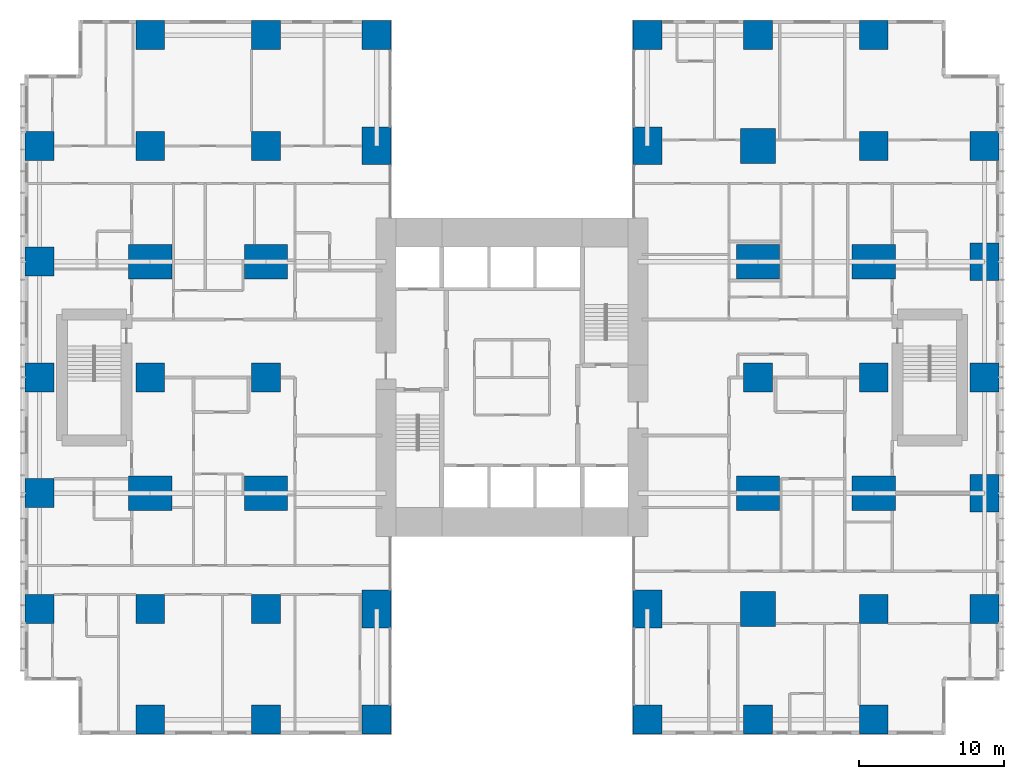
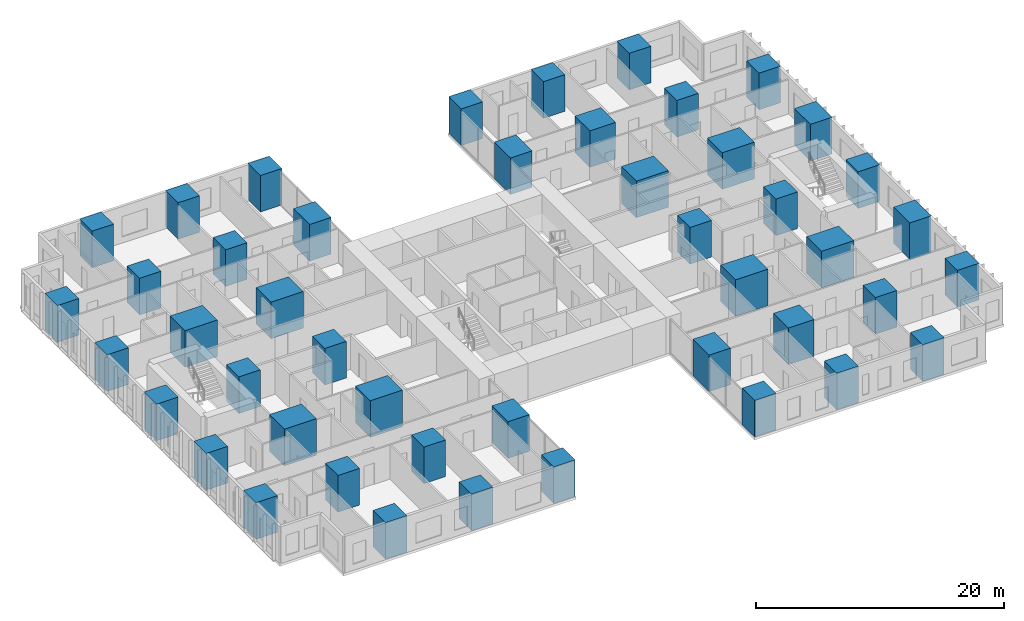
# One storey, part 1 of 20: 46 columns.
"""IFC4 building model written with IfcOpenShell, lengths in metres."""

from ifc_helpers import new_model, si_unit, direction, frame, origin, origin_2d, place, context, subcontext, project, spatial, rectangle, extrude, material, material_profile, profile_set, type_object, element, save


model = new_model("IFC4")

# Units and contexts
model_context = context("Model", 3, precision=1e-05, world=origin(), true_north=direction((0.0, 1.0)))
body_context = subcontext(model_context, "Body", "Model", "MODEL_VIEW")
ifc_project = project(units=[si_unit("LENGTHUNIT", "METRE"), si_unit("AREAUNIT", "SQUARE_METRE"), si_unit("VOLUMEUNIT", "CUBIC_METRE"), si_unit("PLANEANGLEUNIT", "RADIAN"), si_unit("MASSUNIT", "GRAM", prefix="KILO")], contexts=[model_context])

# Site, building, storey
site_placement = place(None, origin())
site = spatial("IfcSite", under=ifc_project, at=site_placement, CompositionType="ELEMENT")
building_placement = place(site_placement, origin())
building = spatial("IfcBuilding", under=site, at=building_placement, Name="Cleftline Residences", CompositionType="ELEMENT")
storey_placement = place(building_placement, frame((0.0, 0.0, 76.39990234375)))
storey = spatial("IfcBuildingStorey", under=building, at=storey_placement, Name="L19", CompositionType="ELEMENT", Elevation=76.39990234375)

# Columns
ifc_material_1 = material(Name="Concrete B70", Category="concrete")
ifc_material_profile_1 = material_profile(ifc_material_1, rectangle(XDim=2.0, YDim=2.0, at=origin_2d()))
ifc_profile_set_1 = profile_set([ifc_material_profile_1], Name="Concrete B70")
column_type_1 = type_object("IfcColumnType", Name="COLUMN RC2000X2000", PredefinedType="COLUMN", material=ifc_profile_set_1)
for number, where, z_axis, x_axis, name in (
    (1, (0.35009765625, 8.0, 0.0), (0.0, 0.0, 1.0), (1.0, 0.0, 0.0), "Column D/3"),
    (2, (0.35009765625, 16.0, 0.0), (0.0, 0.0, 1.0), (1.0, 0.0, 0.0), "Column E/3"),
    (3, (0.35009765625, 24.0, 0.0), (0.0, 0.0, 1.0), (1.0, 0.0, 0.0), "Column F/3"),
    (4, (0.35009765625, 32.0, 0.0), (0.0, 0.0, 1.0), (1.0, 0.0, 0.0), "Column G/3"),
    (5, (0.35009765625, 40.0, 0.0), (0.0, 0.0, 1.0), (1.0, 0.0, 0.0), "Column H/3"),
    (6, (8.0, 0.35009765625, 0.0), (0.0, 0.0, 1.0), (1.0, 0.0, 0.0), "Column C/4"),
    (7, (8.0, 8.0, 0.0), (0.0, 0.0, 1.0), (1.0, 0.0, 0.0), "Column D/4"),
    (8, (8.0, 24.0, 0.0), (0.0, 0.0, 1.0), (1.0, 0.0, 0.0), "Column F/4"),
    (9, (8.0, 40.0, 0.0), (0.0, 0.0, 1.0), (1.0, 0.0, 0.0), "Column H/4"),
    (10, (8.0, 47.64990234375, 0.0), (0.0, 0.0, 1.0), (1.0, 0.0, 0.0), "Column J/4"),
    (11, (16.0, 0.35009765625, 0.0), (0.0, 0.0, 1.0), (1.0, 0.0, 0.0), "Column C/5"),
    (12, (16.0, 8.0, 0.0), (0.0, 0.0, 1.0), (1.0, 0.0, 0.0), "Column D/5"),
    (13, (16.0, 24.0, 0.0), (0.0, 0.0, 1.0), (1.0, 0.0, 0.0), "Column F/5"),
    (14, (16.0, 40.0, 0.0), (0.0, 0.0, 1.0), (1.0, 0.0, 0.0), "Column H/5"),
    (15, (16.0, 47.64990234375, 0.0), (0.0, 0.0, 1.0), (1.0, 0.0, 0.0), "Column J/5"),
    (16, (23.64990234375, 0.35009765625, 0.0), (0.0, 0.0, 1.0), (1.0, 0.0, 0.0), "Column C/6"),
    (17, (23.64990234375, 47.64990234375, 0.0), (0.0, 0.0, 1.0), (1.0, 0.0, 0.0), "Column J/6"),
    (18, (42.35009765625, 0.35009765625, 0.0), (0.0, 0.0, 1.0), (1.0, 0.0, 0.0), "Column C/8"),
    (19, (42.35009765625, 47.64990234375, 0.0), (0.0, 0.0, 1.0), (1.0, 0.0, 0.0), "Column J/8"),
    (20, (50.0, 0.35009765625, 0.0), (0.0, 0.0, 1.0), (1.0, 0.0, 0.0), "Column C/9"),
    (21, (50.0, 24.0, 0.0), (0.0, 0.0, 1.0), (1.0, 0.0, 0.0), "Column F/9"),
    (22, (50.0, 47.64990234375, 0.0), (0.0, 0.0, 1.0), (1.0, 0.0, 0.0), "Column J/9"),
    (23, (58.0, 0.35009765625, 0.0), (0.0, 0.0, 1.0), (1.0, 0.0, 0.0), "Column C/10"),
    (24, (58.0, 8.0, 0.0), (0.0, 0.0, 1.0), (1.0, 0.0, 0.0), "Column D/10"),
    (25, (58.0, 24.0, 0.0), (0.0, 0.0, 1.0), (1.0, 0.0, 0.0), "Column F/10"),
    (26, (58.0, 40.0, 0.0), (0.0, 0.0, 1.0), (1.0, 0.0, 0.0), "Column H/10"),
    (27, (58.0, 47.64990234375, 0.0), (0.0, 0.0, 1.0), (1.0, 0.0, 0.0), "Column J/10"),
    (28, (65.64990234375, 8.0, 0.0), (0.0, 0.0, 1.0), (1.0, 0.0, 0.0), "Column D/11"),
    (29, (65.64990234375, 24.0, 0.0), (0.0, 0.0, 1.0), (1.0, 0.0, 0.0), "Column F/11"),
    (30, (65.64990234375, 40.0, 0.0), (0.0, 0.0, 1.0), (1.0, 0.0, 0.0), "Column H/11"),
):
    element("IfcColumn", number, at=place(storey_placement, frame(where, z_axis=z_axis, x_axis=x_axis)), inside=storey, type_object=column_type_1, Name=name, PredefinedType="COLUMN", context=body_context, shape_type="SweptSolid", body=[
        extrude(rectangle(XDim=2.0, YDim=2.0, at=origin_2d()), origin(), (0.0, 0.0, 1.0), 3.60009765625),
    ])
ifc_material_2 = material(Name="Concrete B70", Category="concrete")
ifc_material_profile_2 = material_profile(ifc_material_2, rectangle(XDim=2.0, YDim=2.60009765625, at=origin_2d()))
ifc_profile_set_2 = profile_set([ifc_material_profile_2], Name="Concrete B70")
column_type_2 = type_object("IfcColumnType", Name="COLUMN RC2000X2600", PredefinedType="COLUMN", material=ifc_profile_set_2)
for number, where, z_axis, x_axis, name in (
    (31, (23.64990234375, 8.0, 0.0), (0.0, 0.0, 1.0), (1.0, 0.0, 0.0), "Column D/6"),
    (32, (23.64990234375, 40.0, 0.0), (0.0, 0.0, 1.0), (1.0, 0.0, 0.0), "Column H/6"),
    (33, (42.35009765625, 8.0, 0.0), (0.0, 0.0, 1.0), (1.0, 0.0, 0.0), "Column D/8"),
    (34, (42.35009765625, 40.0, 0.0), (0.0, 0.0, 1.0), (1.0, 0.0, 0.0), "Column H/8"),
):
    element("IfcColumn", number, at=place(storey_placement, frame(where, z_axis=z_axis, x_axis=x_axis)), inside=storey, type_object=column_type_2, Name=name, PredefinedType="COLUMN", context=body_context, shape_type="SweptSolid", body=[
        extrude(rectangle(XDim=2.0, YDim=2.60009765625, at=origin_2d()), origin(), (0.0, 0.0, 1.0), 3.60009765625),
    ])
ifc_material_3 = material(Name="Concrete B70", Category="concrete")
ifc_material_profile_3 = material_profile(ifc_material_3, rectangle(XDim=2.39990234375, YDim=2.39990234375, at=origin_2d()))
ifc_profile_set_3 = profile_set([ifc_material_profile_3], Name="Concrete B70")
column_type_3 = type_object("IfcColumnType", Name="COLUMN RC2400X2400", PredefinedType="COLUMN", material=ifc_profile_set_3)
for number, where, z_axis, x_axis, name in (
    (35, (50.0, 8.0, 0.0), (0.0, 0.0, 1.0), (1.0, 0.0, 0.0), "Column D/9"),
    (36, (50.0, 40.0, 0.0), (0.0, 0.0, 1.0), (1.0, 0.0, 0.0), "Column H/9"),
):
    element("IfcColumn", number, at=place(storey_placement, frame(where, z_axis=z_axis, x_axis=x_axis)), inside=storey, type_object=column_type_3, Name=name, PredefinedType="COLUMN", context=body_context, shape_type="SweptSolid", body=[
        extrude(rectangle(XDim=2.39990234375, YDim=2.39990234375, at=origin_2d()), origin(), (0.0, 0.0, 1.0), 3.60009765625),
    ])
ifc_material_4 = material(Name="Concrete B70", Category="concrete")
ifc_material_profile_4 = material_profile(ifc_material_4, rectangle(XDim=2.60009765625, YDim=2.0, at=origin_2d()))
ifc_profile_set_4 = profile_set([ifc_material_profile_4], Name="Concrete B70")
column_type_4 = type_object("IfcColumnType", Name="COLUMN RC2600X2000", PredefinedType="COLUMN", material=ifc_profile_set_4)
for number, where, z_axis, x_axis, name in (
    (37, (65.64990234375, 16.0, 0.0), (0.0, 0.0, 1.0), (0.0, 1.0, 0.0), "Column E/11"),
    (38, (65.64990234375, 32.0, 0.0), (0.0, 0.0, 1.0), (0.0, 1.0, 0.0), "Column G/11"),
):
    element("IfcColumn", number, at=place(storey_placement, frame(where, z_axis=z_axis, x_axis=x_axis)), inside=storey, type_object=column_type_4, Name=name, PredefinedType="COLUMN", context=body_context, shape_type="SweptSolid", body=[
        extrude(rectangle(XDim=2.60009765625, YDim=2.0, at=origin_2d()), origin(), (0.0, 0.0, 1.0), 3.60009765625),
    ])
ifc_material_5 = material(Name="Concrete B70", Category="concrete")
ifc_material_profile_5 = material_profile(ifc_material_5, rectangle(XDim=3.0, YDim=2.39990234375, at=origin_2d()))
ifc_profile_set_5 = profile_set([ifc_material_profile_5], Name="Concrete B70")
column_type_5 = type_object("IfcColumnType", Name="COLUMN RC3000X2400", PredefinedType="COLUMN", material=ifc_profile_set_5)
for number, where, z_axis, x_axis, name in (
    (39, (8.0, 16.0, 0.0), (0.0, 0.0, 1.0), (1.0, 0.0, 0.0), "Column E/4"),
    (40, (8.0, 32.0, 0.0), (0.0, 0.0, 1.0), (1.0, 0.0, 0.0), "Column G/4"),
    (41, (16.0, 16.0, 0.0), (0.0, 0.0, 1.0), (1.0, 0.0, 0.0), "Column E/5"),
    (42, (16.0, 32.0, 0.0), (0.0, 0.0, 1.0), (1.0, 0.0, 0.0), "Column G/5"),
    (43, (50.0, 16.0, 0.0), (0.0, 0.0, 1.0), (1.0, 0.0, 0.0), "Column E/9"),
    (44, (50.0, 32.0, 0.0), (0.0, 0.0, 1.0), (1.0, 0.0, 0.0), "Column G/9"),
    (45, (58.0, 16.0, 0.0), (0.0, 0.0, 1.0), (1.0, 0.0, 0.0), "Column E/10"),
    (46, (58.0, 32.0, 0.0), (0.0, 0.0, 1.0), (1.0, 0.0, 0.0), "Column G/10"),
):
    element("IfcColumn", number, at=place(storey_placement, frame(where, z_axis=z_axis, x_axis=x_axis)), inside=storey, type_object=column_type_5, Name=name, PredefinedType="COLUMN", context=body_context, shape_type="SweptSolid", body=[
        extrude(rectangle(XDim=3.0, YDim=2.39990234375, at=origin_2d()), origin(), (0.0, 0.0, 1.0), 3.60009765625),
    ])

save(model, "model.ifc")
